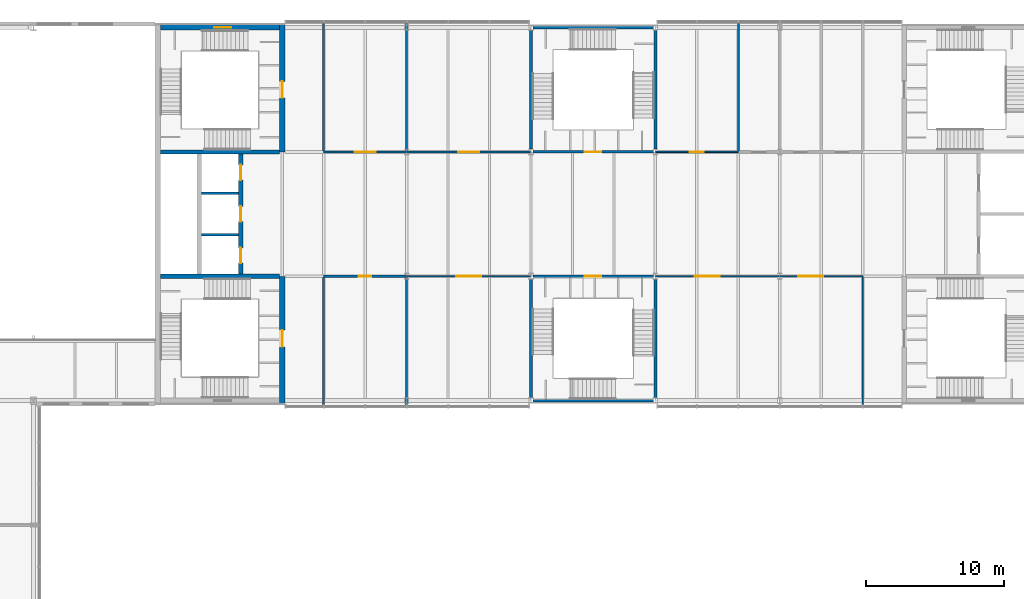
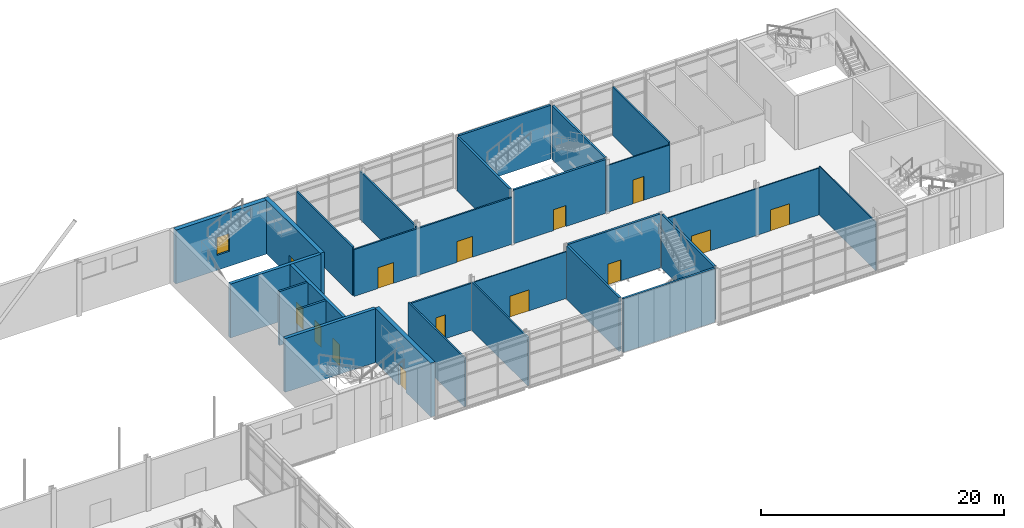
# One storey, part 42 of 56: 27 walls, 14 doors, 1 window, 15 openings.
"""IFC4 building model written with IfcOpenShell, lengths in metres."""

from ifc_helpers import new_model, si_unit, direction, frame, frame_2d, origin, place, context, subcontext, project, spatial, rectangle, extrude, material, layer, layer_set, type_object, element, fill, save


model = new_model("IFC4")

# Units and contexts
model_context = context("Model", 3, precision=1e-05, world=origin(), true_north=direction((0.0, 1.0)))
body_context = subcontext(model_context, "Body", "Model", "MODEL_VIEW")
ifc_project = project(units=[si_unit("LENGTHUNIT", "METRE"), si_unit("AREAUNIT", "SQUARE_METRE"), si_unit("VOLUMEUNIT", "CUBIC_METRE"), si_unit("PLANEANGLEUNIT", "RADIAN"), si_unit("MASSUNIT", "GRAM", prefix="KILO")], contexts=[model_context])

# Site, building, storey
site_placement = place(None, origin())
site = spatial("IfcSite", under=ifc_project, at=site_placement, CompositionType="ELEMENT")
building_placement = place(site_placement, origin())
building = spatial("IfcBuilding", under=site, at=building_placement, Name="Azimuth Sports and Learning Centre", CompositionType="ELEMENT")
storey_placement = place(building_placement, frame((0.0, 0.0, 5.39990234375)))
storey = spatial("IfcBuildingStorey", under=building, at=storey_placement, Name="L01", CompositionType="ELEMENT", Elevation=5.39990234375)

# Walls
ifc_material_1 = material(Name="Dense masonry blockwork", Category="masonry")
ifc_layer_1 = layer(ifc_material_1, 0.199951171875)
ifc_layer_set_1 = layer_set([ifc_layer_1], Name="Dense masonry blockwork")
wall_type_1 = type_object("IfcWallType", Name="Blockwork wall 200 EI 120", PredefinedType="SOLIDWALL", material=ifc_layer_set_1)
for number, where, z_axis, x_axis, name in (
    (1, (111.14990234375, 102.0, 0.0), (0.0, 0.0, 1.0), (1.0, 0.0, 0.0), "SD-E-1-L01"),
    (2, (111.14990234375, 105.0, 0.0), (0.0, 0.0, 1.0), (1.0, 0.0, 0.0), "SD-E-2-L01"),
):
    element("IfcWall", number, at=place(storey_placement, frame(where, z_axis=z_axis, x_axis=x_axis)), inside=storey, type_object=wall_type_1, Name=name, PredefinedType="SOLIDWALL", context=body_context, shape_type="SweptSolid", body=[
        extrude(rectangle(XDim=2.7001953125, YDim=0.199951171875, at=frame_2d((1.35009765625, 0.0))), origin(), (0.0, 0.0, 1.0), 5.400146484375),
    ])

# Wall, opening, door
ifc_material_2 = material(Name="Gypsum board on steel studs", Category="steel")
ifc_layer_2 = layer(ifc_material_2, 0.10009765625)
ifc_layer_set_2 = layer_set([ifc_layer_2], Name="Gypsum board on steel studs")
wall_type_2 = type_object("IfcWallType", Name="Partition 100 EI 30", PredefinedType="PARTITIONING", material=ifc_layer_set_2)
wall_1_placement = place(storey_placement, frame((126.0, 99.0, 0.0), z_axis=(0.0, 0.0, 1.0), x_axis=(1.0, 0.0, 0.0)))
wall_1 = element("IfcWall", 3, at=wall_1_placement, inside=storey, type_object=wall_type_2, Name="Partition 100 EI 30", PredefinedType="PARTITIONING", context=body_context, shape_type="SweptSolid", body=[
    extrude(rectangle(XDim=9.0, YDim=0.10009765625, at=frame_2d((4.5, 0.0))), origin(), (0.0, 0.0, 1.0), 4.7001953125),
])
opening_1_placement = place(wall_1_placement, frame((3.60009765625, 0.0, 0.0)))
opening_1 = element("IfcOpeningElement", 4, at=opening_1_placement, cuts=wall_1, Name="Opening D01-047", PredefinedType="OPENING", context=body_context, shape_type="SweptSolid", body=[
    extrude(rectangle(XDim=1.800048828125, YDim=2.10009765625, at=frame_2d((0.89990234375, 1.050048828125))), frame((0.0, 0.06103515625, 0.0), z_axis=(0.0, -1.0, 0.0), x_axis=(1.0, 0.0, 0.0)), (0.0, 0.0, 1.0), 0.1220703125),
])
ifc_material_3 = material(Name="Timber fire door set", Category="wood")
door_type_1 = type_object("IfcDoorType", Name="Timber door double 1800x2100 FD30S", OperationType="DOUBLE_DOOR_SINGLE_SWING", PredefinedType="DOOR", material=ifc_material_3)
door_1_placement = place(opening_1_placement, frame((1.800048828125, 0.0, 0.0), z_axis=(0.0, 0.0, 1.0), x_axis=(-1.0, 0.0, 0.0)))
door_1 = element("IfcDoor", 5, at=door_1_placement, inside=storey, type_object=door_type_1, Name="Door D01-047", OperationType="DOUBLE_DOOR_SINGLE_SWING", OverallHeight=2.10009765625, OverallWidth=1.800048828125, PredefinedType="DOOR", context=body_context, shape_type="SweptSolid", body=[
    extrude(rectangle(XDim=1.800048828125, YDim=2.10009765625, at=frame_2d((0.89990234375, 1.050048828125))), frame((0.0, 0.02490234375, 0.0), z_axis=(0.0, -1.0, 0.0), x_axis=(1.0, 0.0, 0.0)), (0.0, 0.0, 1.0), 0.050048828125),
])
fill(opening_1, door_1)

# Wall, openings, doors
wall_2_placement = place(storey_placement, frame((144.0, 99.0, 0.0), z_axis=(0.0, 0.0, 1.0), x_axis=(1.0, 0.0, 0.0)))
wall_2 = element("IfcWall", 6, at=wall_2_placement, inside=storey, type_object=wall_type_2, Name="Partition 100 EI 30", PredefinedType="PARTITIONING", context=body_context, shape_type="SweptSolid", body=[
    extrude(rectangle(XDim=15.0, YDim=0.10009765625, at=frame_2d((7.5, 0.0))), origin(), (0.0, 0.0, 1.0), 4.7001953125),
])
opening_2_placement = place(wall_2_placement, frame((2.85009765625, 0.0, 0.0)))
opening_2 = element("IfcOpeningElement", 7, at=opening_2_placement, cuts=wall_2, Name="Opening D01-045", PredefinedType="OPENING", context=body_context, shape_type="SweptSolid", body=[
    extrude(rectangle(XDim=1.800048828125, YDim=2.10009765625, at=frame_2d((0.89990234375, 1.050048828125))), frame((0.0, 0.06103515625, 0.0), z_axis=(0.0, -1.0, 0.0), x_axis=(1.0, 0.0, 0.0)), (0.0, 0.0, 1.0), 0.1220703125),
])
opening_3_placement = place(wall_2_placement, frame((10.35009765625, 0.0, 0.0)))
opening_3 = element("IfcOpeningElement", 8, at=opening_3_placement, cuts=wall_2, Name="Opening D01-046", PredefinedType="OPENING", context=body_context, shape_type="SweptSolid", body=[
    extrude(rectangle(XDim=1.800048828125, YDim=2.10009765625, at=frame_2d((0.89990234375, 1.050048828125))), frame((0.0, 0.06103515625, 0.0), z_axis=(0.0, -1.0, 0.0), x_axis=(1.0, 0.0, 0.0)), (0.0, 0.0, 1.0), 0.1220703125),
])
door_2_placement = place(opening_2_placement, frame((1.800048828125, 0.0, 0.0), z_axis=(0.0, 0.0, 1.0), x_axis=(-1.0, 0.0, 0.0)))
door_2 = element("IfcDoor", 9, at=door_2_placement, inside=storey, type_object=door_type_1, Name="Door D01-045", OperationType="DOUBLE_DOOR_SINGLE_SWING", OverallHeight=2.10009765625, OverallWidth=1.800048828125, PredefinedType="DOOR", context=body_context, shape_type="SweptSolid", body=[
    extrude(rectangle(XDim=1.800048828125, YDim=2.10009765625, at=frame_2d((0.89990234375, 1.050048828125))), frame((0.0, 0.02490234375, 0.0), z_axis=(0.0, -1.0, 0.0), x_axis=(1.0, 0.0, 0.0)), (0.0, 0.0, 1.0), 0.050048828125),
])
fill(opening_2, door_2)
door_3_placement = place(opening_3_placement, frame((1.800048828125, 0.0, 0.0), z_axis=(0.0, 0.0, 1.0), x_axis=(-1.0, 0.0, 0.0)))
door_3 = element("IfcDoor", 10, at=door_3_placement, inside=storey, type_object=door_type_1, Name="Door D01-046", OperationType="DOUBLE_DOOR_SINGLE_SWING", OverallHeight=2.10009765625, OverallWidth=1.800048828125, PredefinedType="DOOR", context=body_context, shape_type="SweptSolid", body=[
    extrude(rectangle(XDim=1.800048828125, YDim=2.10009765625, at=frame_2d((0.89990234375, 1.050048828125))), frame((0.0, 0.02490234375, 0.0), z_axis=(0.0, -1.0, 0.0), x_axis=(1.0, 0.0, 0.0)), (0.0, 0.0, 1.0), 0.050048828125),
])
fill(opening_3, door_3)

# Wall, opening, door
wall_3_placement = place(storey_placement, frame((144.0, 108.0, 0.0), z_axis=(0.0, 0.0, 1.0), x_axis=(1.0, 0.0, 0.0)))
wall_3 = element("IfcWall", 11, at=wall_3_placement, inside=storey, type_object=wall_type_2, Name="Partition 100 EI 30", PredefinedType="PARTITIONING", context=body_context, shape_type="SweptSolid", body=[
    extrude(rectangle(XDim=6.0, YDim=0.10009765625, at=frame_2d((3.0, 0.0))), origin(), (0.0, 0.0, 1.0), 4.7001953125),
])
opening_4_placement = place(wall_3_placement, frame((2.5, 0.0, 0.0)))
opening_4 = element("IfcOpeningElement", 12, at=opening_4_placement, cuts=wall_3, Name="Opening D01-052", PredefinedType="OPENING", context=body_context, shape_type="SweptSolid", body=[
    extrude(rectangle(XDim=1.0, YDim=2.39990234375, at=frame_2d((0.5, 1.199951171875))), frame((0.0, 0.06103515625, 0.0), z_axis=(0.0, -1.0, 0.0), x_axis=(1.0, 0.0, 0.0)), (0.0, 0.0, 1.0), 0.1220703125),
])
ifc_material_4 = material(Name="Timber fire door set", Category="wood")
door_type_2 = type_object("IfcDoorType", Name="Timber door single 1000x2400 FD30S", OperationType="NOTDEFINED", PredefinedType="DOOR", material=ifc_material_4)
door_4_placement = place(opening_4_placement, origin())
door_4 = element("IfcDoor", 13, at=door_4_placement, inside=storey, type_object=door_type_2, Name="Door D01-052", OperationType="SINGLE_SWING_LEFT", OverallHeight=2.39990234375, OverallWidth=1.0, PredefinedType="DOOR", context=body_context, shape_type="SweptSolid", body=[
    extrude(rectangle(XDim=1.0, YDim=2.39990234375, at=frame_2d((0.5, 1.199951171875))), frame((0.0, 0.02490234375, 0.0), z_axis=(0.0, -1.0, 0.0), x_axis=(1.0, 0.0, 0.0)), (0.0, 0.0, 1.0), 0.050048828125),
])
fill(opening_4, door_4)

# Wall
wall_4_placement = place(storey_placement, frame((159.0, 89.699951171875, 0.0), z_axis=(0.0, 0.0, 1.0), x_axis=(0.0, 1.0, 0.0)))
element("IfcWall", 14, at=wall_4_placement, inside=storey, type_object=wall_type_2, Name="Partition 100 EI 30", PredefinedType="PARTITIONING", context=body_context, shape_type="SweptSolid", body=[
    extrude(rectangle(XDim=9.25, YDim=0.10009765625, at=frame_2d((4.625, 0.0))), origin(), (0.0, 0.0, 1.0), 4.89013671875),
])

# Wall, opening, door
ifc_material_5 = material(Name="Lightweight blockwork, rendered", Category="masonry")
ifc_layer_3 = layer(ifc_material_5, 0.14990234375)
ifc_layer_set_3 = layer_set([ifc_layer_3], Name="Lightweight blockwork, rendered")
wall_type_3 = type_object("IfcWallType", Name="Partition 150 EI 60", PredefinedType="PARTITIONING", material=ifc_layer_set_3)
wall_5_placement = place(storey_placement, frame((120.0, 99.0, 0.0), z_axis=(0.0, 0.0, 1.0), x_axis=(1.0, 0.0, 0.0)))
wall_5 = element("IfcWall", 15, at=wall_5_placement, inside=storey, type_object=wall_type_3, Name="Partition 150 EI 60", PredefinedType="PARTITIONING", context=body_context, shape_type="SweptSolid", body=[
    extrude(rectangle(XDim=6.0, YDim=0.14990234375, at=frame_2d((3.0, 0.0))), origin(), (0.0, 0.0, 1.0), 4.7001953125),
])
opening_5_placement = place(wall_5_placement, frame((2.550048828125, 0.0, 0.0)))
opening_5 = element("IfcOpeningElement", 16, at=opening_5_placement, cuts=wall_5, Name="Opening D01-048", PredefinedType="OPENING", context=body_context, shape_type="SweptSolid", body=[
    extrude(rectangle(XDim=0.89990234375, YDim=2.39990234375, at=frame_2d((0.449951171875, 1.199951171875))), frame((0.0, 0.0859375, 0.0), z_axis=(0.0, -1.0, 0.0), x_axis=(1.0, 0.0, 0.0)), (0.0, 0.0, 1.0), 0.171875),
])
ifc_material_6 = material(Name="Timber fire door set", Category="wood")
door_type_3 = type_object("IfcDoorType", Name="Timber door single 900x2400 FD60", OperationType="NOTDEFINED", PredefinedType="DOOR", material=ifc_material_6)
door_5_placement = place(opening_5_placement, frame((0.89990234375, 0.0, 0.0), z_axis=(0.0, 0.0, 1.0), x_axis=(-1.0, 0.0, 0.0)))
door_5 = element("IfcDoor", 17, at=door_5_placement, inside=storey, type_object=door_type_3, Name="Door D01-048", OperationType="SINGLE_SWING_RIGHT", OverallHeight=2.39990234375, OverallWidth=0.89990234375, PredefinedType="DOOR", context=body_context, shape_type="SweptSolid", body=[
    extrude(rectangle(XDim=0.89990234375, YDim=2.39990234375, at=frame_2d((0.449951171875, 1.199951171875))), frame((0.0, 0.02490234375, 0.0), z_axis=(0.0, -1.0, 0.0), x_axis=(1.0, 0.0, 0.0)), (0.0, 0.0, 1.0), 0.050048828125),
])
fill(opening_5, door_5)

# Wall, openings, doors
wall_6_placement = place(storey_placement, frame((120.0, 108.0, 0.0), z_axis=(0.0, 0.0, 1.0), x_axis=(1.0, 0.0, 0.0)))
wall_6 = element("IfcWall", 18, at=wall_6_placement, inside=storey, type_object=wall_type_3, Name="Partition 150 EI 60", PredefinedType="PARTITIONING", context=body_context, shape_type="SweptSolid", body=[
    extrude(rectangle(XDim=15.0, YDim=0.14990234375, at=frame_2d((7.5, 0.0))), origin(), (0.0, 0.0, 1.0), 4.7001953125),
])
opening_6_placement = place(wall_6_placement, frame((9.75, 0.0, 0.0)))
opening_6 = element("IfcOpeningElement", 19, at=opening_6_placement, cuts=wall_6, Name="Opening D01-053", PredefinedType="OPENING", context=body_context, shape_type="SweptSolid", body=[
    extrude(rectangle(XDim=1.5, YDim=2.10009765625, at=frame_2d((0.75, 1.050048828125))), frame((0.0, 0.0859375, 0.0), z_axis=(0.0, -1.0, 0.0), x_axis=(1.0, 0.0, 0.0)), (0.0, 0.0, 1.0), 0.171875),
])
opening_7_placement = place(wall_6_placement, frame((2.25, 0.0, 0.0)))
opening_7 = element("IfcOpeningElement", 20, at=opening_7_placement, cuts=wall_6, Name="Opening D01-054", PredefinedType="OPENING", context=body_context, shape_type="SweptSolid", body=[
    extrude(rectangle(XDim=1.5, YDim=2.10009765625, at=frame_2d((0.75, 1.050048828125))), frame((0.0, 0.0859375, 0.0), z_axis=(0.0, -1.0, 0.0), x_axis=(1.0, 0.0, 0.0)), (0.0, 0.0, 1.0), 0.171875),
])
ifc_material_7 = material(Name="Timber fire door set", Category="wood")
door_type_4 = type_object("IfcDoorType", Name="Timber door double 1500x2100 FD60", OperationType="DOUBLE_DOOR_SINGLE_SWING", PredefinedType="DOOR", material=ifc_material_7)
door_6_placement = place(opening_6_placement, origin())
door_6 = element("IfcDoor", 21, at=door_6_placement, inside=storey, type_object=door_type_4, Name="Door D01-053", OperationType="DOUBLE_DOOR_SINGLE_SWING", OverallHeight=2.10009765625, OverallWidth=1.5, PredefinedType="DOOR", context=body_context, shape_type="SweptSolid", body=[
    extrude(rectangle(XDim=1.5, YDim=2.10009765625, at=frame_2d((0.75, 1.050048828125))), frame((0.0, 0.02490234375, 0.0), z_axis=(0.0, -1.0, 0.0), x_axis=(1.0, 0.0, 0.0)), (0.0, 0.0, 1.0), 0.050048828125),
])
fill(opening_6, door_6)
door_7_placement = place(opening_7_placement, origin())
door_7 = element("IfcDoor", 22, at=door_7_placement, inside=storey, type_object=door_type_4, Name="Door D01-054", OperationType="DOUBLE_DOOR_SINGLE_SWING", OverallHeight=2.10009765625, OverallWidth=1.5, PredefinedType="DOOR", context=body_context, shape_type="SweptSolid", body=[
    extrude(rectangle(XDim=1.5, YDim=2.10009765625, at=frame_2d((0.75, 1.050048828125))), frame((0.0, 0.02490234375, 0.0), z_axis=(0.0, -1.0, 0.0), x_axis=(1.0, 0.0, 0.0)), (0.0, 0.0, 1.0), 0.050048828125),
])
fill(opening_7, door_7)

# Walls
for number, where, z_axis, x_axis, name in (
    (23, (120.0, 89.699951171875, 0.0), (0.0, 0.0, 1.0), (0.0, 1.0, 0.0), "Partition 150 EI 60"),
    (24, (120.0, 108.074951171875, 0.0), (0.0, 0.0, 1.0), (0.0, 1.0, 0.0), "Partition 150 EI 60"),
):
    element("IfcWall", number, at=place(storey_placement, frame(where, z_axis=z_axis, x_axis=x_axis)), inside=storey, type_object=wall_type_3, Name=name, PredefinedType="PARTITIONING", context=body_context, shape_type="SweptSolid", body=[
        extrude(rectangle(XDim=9.22509765625, YDim=0.14990234375, at=frame_2d((4.612548828125, 0.0))), origin(), (0.0, 0.0, 1.0), 4.89013671875),
    ])
for number, where, z_axis, x_axis, name in (
    (25, (126.0, 89.699951171875, 0.0), (0.0, 0.0, 1.0), (0.0, 1.0, 0.0), "Partition 150 EI 60"),
    (26, (126.0, 108.074951171875, 0.0), (0.0, 0.0, 1.0), (0.0, 1.0, 0.0), "Partition 150 EI 60"),
):
    element("IfcWall", number, at=place(storey_placement, frame(where, z_axis=z_axis, x_axis=x_axis)), inside=storey, type_object=wall_type_3, Name=name, PredefinedType="PARTITIONING", context=body_context, shape_type="SweptSolid", body=[
        extrude(rectangle(XDim=9.22509765625, YDim=0.14990234375, at=frame_2d((4.612548828125, 0.0))), origin(), (0.0, 0.0, 1.0), 4.85009765625),
    ])
wall_7_placement = place(storey_placement, frame((150.0, 108.074951171875, 0.0), z_axis=(0.0, 0.0, 1.0), x_axis=(0.0, 1.0, 0.0)))
element("IfcWall", 27, at=wall_7_placement, inside=storey, type_object=wall_type_3, Name="Partition 150 EI 60", PredefinedType="PARTITIONING", context=body_context, shape_type="SweptSolid", body=[
    extrude(rectangle(XDim=9.22509765625, YDim=0.14990234375, at=frame_2d((4.612548828125, 0.0))), origin(), (0.0, 0.0, 1.0), 4.89013671875),
])

# Wall, opening, door
ifc_material_8 = material(Name="Concrete C40/50", Category="concrete")
ifc_layer_4 = layer(ifc_material_8, 0.199951171875)
ifc_layer_set_4 = layer_set([ifc_layer_4], Name="Concrete C40/50")
wall_type_4 = type_object("IfcWallType", Name="RC cell wall 200 EI 120", PredefinedType="SHEAR", material=ifc_layer_set_4)
wall_8_placement = place(storey_placement, frame((135.14990234375, 99.0, 0.0), z_axis=(0.0, 0.0, 1.0), x_axis=(1.0, 0.0, 0.0)))
wall_8 = element("IfcWall", 28, at=wall_8_placement, inside=storey, type_object=wall_type_4, Name="CE-EM1-N-L01", PredefinedType="SHEAR", context=body_context, shape_type="SweptSolid", body=[
    extrude(rectangle(XDim=8.7001953125, YDim=0.199951171875, at=frame_2d((4.35009765625, 0.0))), origin(), (0.0, 0.0, 1.0), 5.400146484375),
])
opening_8_placement = place(wall_8_placement, frame((3.75, 0.0, 0.0)))
opening_8 = element("IfcOpeningElement", 29, at=opening_8_placement, cuts=wall_8, Name="Opening D01-012", PredefinedType="OPENING", context=body_context, shape_type="SweptSolid", body=[
    extrude(rectangle(XDim=1.199951171875, YDim=2.10009765625, at=frame_2d((0.60009765625, 1.050048828125))), frame((0.0, 0.11083984375, 0.0), z_axis=(0.0, -1.0, 0.0), x_axis=(1.0, 0.0, 0.0)), (0.0, 0.0, 1.0), 0.221923828125),
])
ifc_material_9 = material(Name="Steel", Category="steel")
door_type_5 = type_object("IfcDoorType", Name="Stair fire door 1200 x 2100", OperationType="NOTDEFINED", PredefinedType="DOOR", material=ifc_material_9)
door_8_placement = place(opening_8_placement, origin())
door_8 = element("IfcDoor", 30, at=door_8_placement, inside=storey, type_object=door_type_5, Name="Stair door EM1 L01", OperationType="SINGLE_SWING_RIGHT", OverallHeight=2.10009765625, OverallWidth=1.199951171875, PredefinedType="DOOR", context=body_context, shape_type="SweptSolid", body=[
    extrude(rectangle(XDim=1.199951171875, YDim=2.10009765625, at=frame_2d((0.60009765625, 1.050048828125))), frame((0.0, 0.02490234375, 0.0), z_axis=(0.0, -1.0, 0.0), x_axis=(1.0, 0.0, 0.0)), (0.0, 0.0, 1.0), 0.050048828125),
])
fill(opening_8, door_8)

# Walls
for number, where, z_axis, x_axis, name in (
    (31, (135.0, 90.199951171875, 0.0), (0.0, 0.0, 1.0), (0.0, 1.0, 0.0), "CE-EM1-W-L01"),
    (32, (144.0, 90.199951171875, 0.0), (0.0, 0.0, 1.0), (0.0, 1.0, 0.0), "CE-EM1-E-L01"),
):
    element("IfcWall", number, at=place(storey_placement, frame(where, z_axis=z_axis, x_axis=x_axis)), inside=storey, type_object=wall_type_4, Name=name, PredefinedType="SHEAR", context=body_context, shape_type="SweptSolid", body=[
        extrude(rectangle(XDim=8.60009765625, YDim=0.199951171875, at=frame_2d((4.300048828125, 0.0))), origin(), (0.0, 0.0, 1.0), 5.400146484375),
    ])

# Wall, opening, door
wall_9_placement = place(storey_placement, frame((135.14990234375, 108.0, 0.0), z_axis=(0.0, 0.0, 1.0), x_axis=(1.0, 0.0, 0.0)))
wall_9 = element("IfcWall", 33, at=wall_9_placement, inside=storey, type_object=wall_type_4, Name="CE-EM2-S-L01", PredefinedType="SHEAR", context=body_context, shape_type="SweptSolid", body=[
    extrude(rectangle(XDim=8.7001953125, YDim=0.199951171875, at=frame_2d((4.35009765625, 0.0))), origin(), (0.0, 0.0, 1.0), 5.400146484375),
])
opening_9_placement = place(wall_9_placement, frame((3.75, 0.0, 0.0)))
opening_9 = element("IfcOpeningElement", 34, at=opening_9_placement, cuts=wall_9, Name="Opening D01-013", PredefinedType="OPENING", context=body_context, shape_type="SweptSolid", body=[
    extrude(rectangle(XDim=1.199951171875, YDim=2.10009765625, at=frame_2d((0.60009765625, 1.050048828125))), frame((0.0, 0.11083984375, 0.0), z_axis=(0.0, -1.0, 0.0), x_axis=(1.0, 0.0, 0.0)), (0.0, 0.0, 1.0), 0.221923828125),
])
door_9_placement = place(opening_9_placement, frame((1.199951171875, 0.0, 0.0), z_axis=(0.0, 0.0, 1.0), x_axis=(-1.0, 0.0, 0.0)))
door_9 = element("IfcDoor", 35, at=door_9_placement, inside=storey, type_object=door_type_5, Name="Stair door EM2 L01", OperationType="SINGLE_SWING_LEFT", OverallHeight=2.10009765625, OverallWidth=1.199951171875, PredefinedType="DOOR", context=body_context, shape_type="SweptSolid", body=[
    extrude(rectangle(XDim=1.199951171875, YDim=2.10009765625, at=frame_2d((0.60009765625, 1.050048828125))), frame((0.0, 0.02490234375, 0.0), z_axis=(0.0, -1.0, 0.0), x_axis=(1.0, 0.0, 0.0)), (0.0, 0.0, 1.0), 0.050048828125),
])
fill(opening_9, door_9)

# Walls
for number, where, z_axis, x_axis, name in (
    (36, (135.0, 108.199951171875, 0.0), (0.0, 0.0, 1.0), (0.0, 1.0, 0.0), "CE-EM2-W-L01"),
    (37, (144.0, 108.199951171875, 0.0), (0.0, 0.0, 1.0), (0.0, 1.0, 0.0), "CE-EM2-E-L01"),
):
    element("IfcWall", number, at=place(storey_placement, frame(where, z_axis=z_axis, x_axis=x_axis)), inside=storey, type_object=wall_type_4, Name=name, PredefinedType="SHEAR", context=body_context, shape_type="SweptSolid", body=[
        extrude(rectangle(XDim=8.60009765625, YDim=0.199951171875, at=frame_2d((4.300048828125, 0.0))), origin(), (0.0, 0.0, 1.0), 5.400146484375),
    ])
ifc_material_10 = material(Name="Concrete C40/50", Category="concrete")
ifc_layer_5 = layer(ifc_material_10, 0.300048828125)
ifc_layer_set_5 = layer_set([ifc_layer_5], Name="Concrete C40/50")
wall_type_5 = type_object("IfcWallType", Name="RC core wall 300", PredefinedType="SHEAR", material=ifc_layer_set_5)
for number, where, z_axis, x_axis, name in (
    (38, (108.199951171875, 99.0, 0.0), (0.0, 0.0, 1.0), (1.0, 0.0, 0.0), "Core wall E D1 L01"),
    (39, (108.199951171875, 108.0, 0.0), (0.0, 0.0, 1.0), (1.0, 0.0, 0.0), "Core wall E D2 L01"),
):
    element("IfcWall", number, at=place(storey_placement, frame(where, z_axis=z_axis, x_axis=x_axis)), inside=storey, type_object=wall_type_5, Name=name, PredefinedType="SHEAR", context=body_context, shape_type="SweptSolid", body=[
        extrude(rectangle(XDim=8.60009765625, YDim=0.300048828125, at=frame_2d((4.300048828125, 0.0))), origin(), (0.0, 0.0, 1.0), 5.400146484375),
    ])

# Wall, openings, doors
wall_10_placement = place(storey_placement, frame((114.0, 99.14990234375, 0.0), z_axis=(0.0, 0.0, 1.0), x_axis=(0.0, 1.0, 0.0)))
wall_10 = element("IfcWall", 40, at=wall_10_placement, inside=storey, type_object=wall_type_5, Name="Core wall E LB2 L01", PredefinedType="SHEAR", context=body_context, shape_type="SweptSolid", body=[
    extrude(rectangle(XDim=8.7001953125, YDim=0.300048828125, at=frame_2d((4.35009765625, 0.0))), origin(), (0.0, 0.0, 1.0), 5.400146484375),
])
opening_10_placement = place(wall_10_placement, frame((0.800048828125, 0.0, 0.0)))
opening_10 = element("IfcOpeningElement", 41, at=opening_10_placement, cuts=wall_10, Name="Opening D01-025", PredefinedType="OPENING", context=body_context, shape_type="SweptSolid", body=[
    extrude(rectangle(XDim=1.10009765625, YDim=2.10009765625, at=frame_2d((0.550048828125, 1.050048828125))), frame((0.0, 0.1611328125, 0.0), z_axis=(0.0, -1.0, 0.0), x_axis=(1.0, 0.0, 0.0)), (0.0, 0.0, 1.0), 0.322021484375),
])
opening_11_placement = place(wall_10_placement, frame((3.800048828125, 0.0, 0.0)))
opening_11 = element("IfcOpeningElement", 42, at=opening_11_placement, cuts=wall_10, Name="Opening D01-026", PredefinedType="OPENING", context=body_context, shape_type="SweptSolid", body=[
    extrude(rectangle(XDim=1.10009765625, YDim=2.10009765625, at=frame_2d((0.550048828125, 1.050048828125))), frame((0.0, 0.1611328125, 0.0), z_axis=(0.0, -1.0, 0.0), x_axis=(1.0, 0.0, 0.0)), (0.0, 0.0, 1.0), 0.322021484375),
])
opening_12_placement = place(wall_10_placement, frame((6.800048828125, 0.0, 0.0)))
opening_12 = element("IfcOpeningElement", 43, at=opening_12_placement, cuts=wall_10, Name="Opening D01-027", PredefinedType="OPENING", context=body_context, shape_type="SweptSolid", body=[
    extrude(rectangle(XDim=1.10009765625, YDim=2.10009765625, at=frame_2d((0.550048828125, 1.050048828125))), frame((0.0, 0.1611328125, 0.0), z_axis=(0.0, -1.0, 0.0), x_axis=(1.0, 0.0, 0.0)), (0.0, 0.0, 1.0), 0.322021484375),
])
ifc_material_11 = material(Name="Stainless steel", Category="steel")
door_type_6 = type_object("IfcDoorType", Name="Lift landing door 1100 x 2100", OperationType="DOUBLE_DOOR_SLIDING", PredefinedType="DOOR", material=ifc_material_11)
door_10_placement = place(opening_10_placement, origin())
door_10 = element("IfcDoor", 44, at=door_10_placement, inside=storey, type_object=door_type_6, Name="Landing door LE1 L01", OperationType="DOUBLE_DOOR_SLIDING", OverallHeight=2.10009765625, OverallWidth=1.10009765625, PredefinedType="DOOR", context=body_context, shape_type="SweptSolid", body=[
    extrude(rectangle(XDim=1.10009765625, YDim=2.10009765625, at=frame_2d((0.550048828125, 1.050048828125))), frame((0.0, 0.02490234375, 0.0), z_axis=(0.0, -1.0, 0.0), x_axis=(1.0, 0.0, 0.0)), (0.0, 0.0, 1.0), 0.050048828125),
])
fill(opening_10, door_10)
door_11_placement = place(opening_11_placement, origin())
door_11 = element("IfcDoor", 45, at=door_11_placement, inside=storey, type_object=door_type_6, Name="Landing door LE2 L01", OperationType="DOUBLE_DOOR_SLIDING", OverallHeight=2.10009765625, OverallWidth=1.10009765625, PredefinedType="DOOR", context=body_context, shape_type="SweptSolid", body=[
    extrude(rectangle(XDim=1.10009765625, YDim=2.10009765625, at=frame_2d((0.550048828125, 1.050048828125))), frame((0.0, 0.02490234375, 0.0), z_axis=(0.0, -1.0, 0.0), x_axis=(1.0, 0.0, 0.0)), (0.0, 0.0, 1.0), 0.050048828125),
])
fill(opening_11, door_11)
door_12_placement = place(opening_12_placement, origin())
door_12 = element("IfcDoor", 46, at=door_12_placement, inside=storey, type_object=door_type_6, Name="Landing door LE3 L01", OperationType="DOUBLE_DOOR_SLIDING", OverallHeight=2.10009765625, OverallWidth=1.10009765625, PredefinedType="DOOR", context=body_context, shape_type="SweptSolid", body=[
    extrude(rectangle(XDim=1.10009765625, YDim=2.10009765625, at=frame_2d((0.550048828125, 1.050048828125))), frame((0.0, 0.02490234375, 0.0), z_axis=(0.0, -1.0, 0.0), x_axis=(1.0, 0.0, 0.0)), (0.0, 0.0, 1.0), 0.050048828125),
])
fill(opening_12, door_12)

# Wall, opening, door
ifc_material_12 = material(Name="Concrete C40/50", Category="concrete")
ifc_layer_6 = layer(ifc_material_12, 0.39990234375)
ifc_layer_set_6 = layer_set([ifc_layer_6], Name="Concrete C40/50")
wall_type_6 = type_object("IfcWallType", Name="RC core wall 400", PredefinedType="SHEAR", material=ifc_layer_set_6)
wall_11_placement = place(storey_placement, frame((117.0, 89.800048828125, 0.0), z_axis=(0.0, 0.0, 1.0), x_axis=(0.0, 1.0, 0.0)))
wall_11 = element("IfcWall", 47, at=wall_11_placement, inside=storey, type_object=wall_type_6, Name="Core wall E ES L01", PredefinedType="SHEAR", context=body_context, shape_type="SweptSolid", body=[
    extrude(rectangle(XDim=9.199951171875, YDim=0.39990234375, at=frame_2d((4.60009765625, 0.0))), origin(), (0.0, 0.0, 1.0), 5.400146484375),
])
opening_13_placement = place(wall_11_placement, frame((4.10009765625, 0.0, 0.0)))
opening_13 = element("IfcOpeningElement", 48, at=opening_13_placement, cuts=wall_11, Name="Opening D01-004", PredefinedType="OPENING", context=body_context, shape_type="SweptSolid", body=[
    extrude(rectangle(XDim=1.199951171875, YDim=2.10009765625, at=frame_2d((0.60009765625, 1.050048828125))), frame((0.0, 0.2109375, 0.0), z_axis=(0.0, -1.0, 0.0), x_axis=(1.0, 0.0, 0.0)), (0.0, 0.0, 1.0), 0.421875),
])
door_13_placement = place(opening_13_placement, frame((1.199951171875, 0.0, 0.0), z_axis=(0.0, 0.0, 1.0), x_axis=(-1.0, 0.0, 0.0)))
door_13 = element("IfcDoor", 49, at=door_13_placement, inside=storey, type_object=door_type_5, Name="Stair door E1 L01", OperationType="SINGLE_SWING_LEFT", OverallHeight=2.10009765625, OverallWidth=1.199951171875, PredefinedType="DOOR", context=body_context, shape_type="SweptSolid", body=[
    extrude(rectangle(XDim=1.199951171875, YDim=2.10009765625, at=frame_2d((0.60009765625, 1.050048828125))), frame((0.0, 0.02490234375, 0.0), z_axis=(0.0, -1.0, 0.0), x_axis=(1.0, 0.0, 0.0)), (0.0, 0.0, 1.0), 0.050048828125),
])
fill(opening_13, door_13)

wall_12_placement = place(storey_placement, frame((117.0, 108.0, 0.0), z_axis=(0.0, 0.0, 1.0), x_axis=(0.0, 1.0, 0.0)))
wall_12 = element("IfcWall", 50, at=wall_12_placement, inside=storey, type_object=wall_type_6, Name="Core wall E EN L01", PredefinedType="SHEAR", context=body_context, shape_type="SweptSolid", body=[
    extrude(rectangle(XDim=9.199951171875, YDim=0.39990234375, at=frame_2d((4.60009765625, 0.0))), origin(), (0.0, 0.0, 1.0), 5.400146484375),
])
opening_14_placement = place(wall_12_placement, frame((3.89990234375, 0.0, 0.0)))
opening_14 = element("IfcOpeningElement", 51, at=opening_14_placement, cuts=wall_12, Name="Opening D01-005", PredefinedType="OPENING", context=body_context, shape_type="SweptSolid", body=[
    extrude(rectangle(XDim=1.199951171875, YDim=2.10009765625, at=frame_2d((0.60009765625, 1.050048828125))), frame((0.0, 0.2109375, 0.0), z_axis=(0.0, -1.0, 0.0), x_axis=(1.0, 0.0, 0.0)), (0.0, 0.0, 1.0), 0.421875),
])
door_14_placement = place(opening_14_placement, frame((1.199951171875, 0.0, 0.0), z_axis=(0.0, 0.0, 1.0), x_axis=(-1.0, 0.0, 0.0)))
door_14 = element("IfcDoor", 52, at=door_14_placement, inside=storey, type_object=door_type_5, Name="Stair door E2 L01", OperationType="SINGLE_SWING_RIGHT", OverallHeight=2.10009765625, OverallWidth=1.199951171875, PredefinedType="DOOR", context=body_context, shape_type="SweptSolid", body=[
    extrude(rectangle(XDim=1.199951171875, YDim=2.10009765625, at=frame_2d((0.60009765625, 1.050048828125))), frame((0.0, 0.02490234375, 0.0), z_axis=(0.0, -1.0, 0.0), x_axis=(1.0, 0.0, 0.0)), (0.0, 0.0, 1.0), 0.050048828125),
])
fill(opening_14, door_14)

# Walls
ifc_material_13 = material(Name="Concrete C40/50", Category="concrete")
ifc_layer_7 = layer(ifc_material_13, 0.199951171875)
ifc_layer_set_7 = layer_set([ifc_layer_7], Name="Concrete C40/50")
wall_type_7 = type_object("IfcWallType", Name="RC external cell wall 200 EI 120", PredefinedType="SHEAR", material=ifc_layer_set_7)
for number, where, z_axis, x_axis, name in (
    (53, (135.14990234375, 90.0, 0.0), (0.0, 0.0, 1.0), (1.0, 0.0, 0.0), "CE-EM1-S-L01"),
    (54, (135.14990234375, 117.0, 0.0), (0.0, 0.0, 1.0), (1.0, 0.0, 0.0), "CE-EM2-N-L01"),
):
    element("IfcWall", number, at=place(storey_placement, frame(where, z_axis=z_axis, x_axis=x_axis)), inside=storey, type_object=wall_type_7, Name=name, PredefinedType="SHEAR", context=body_context, shape_type="SweptSolid", body=[
        extrude(rectangle(XDim=8.7001953125, YDim=0.199951171875, at=frame_2d((4.35009765625, 0.0))), origin(), (0.0, 0.0, 1.0), 5.400146484375),
    ])

# Wall, opening, window
ifc_material_14 = material(Name="Concrete C40/50", Category="concrete")
ifc_layer_8 = layer(ifc_material_14, 0.39990234375)
ifc_layer_set_8 = layer_set([ifc_layer_8], Name="Concrete C40/50")
wall_type_8 = type_object("IfcWallType", Name="RC external core wall 400", PredefinedType="SHEAR", material=ifc_layer_set_8)
wall_13_placement = place(storey_placement, frame((108.199951171875, 117.0, 0.0), z_axis=(0.0, 0.0, 1.0), x_axis=(1.0, 0.0, 0.0)))
wall_13 = element("IfcWall", 55, at=wall_13_placement, inside=storey, type_object=wall_type_8, Name="Core wall E N L01", PredefinedType="SHEAR", context=body_context, shape_type="SweptSolid", body=[
    extrude(rectangle(XDim=8.60009765625, YDim=0.39990234375, at=frame_2d((4.300048828125, 0.0))), origin(), (0.0, 0.0, 1.0), 5.400146484375),
])
opening_15_placement = place(wall_13_placement, frame((3.89990234375, 0.0, 1.5)))
opening_15 = element("IfcOpeningElement", 56, at=opening_15_placement, cuts=wall_13, Name="Opening W01-012", PredefinedType="OPENING", context=body_context, shape_type="SweptSolid", body=[
    extrude(rectangle(XDim=1.199951171875, YDim=1.800048828125, at=frame_2d((0.60009765625, 0.89990234375))), frame((0.0, 0.2109375, 0.0), z_axis=(0.0, -1.0, 0.0), x_axis=(1.0, 0.0, 0.0)), (0.0, 0.0, 1.0), 0.421875),
])
ifc_material_15 = material(Name="Aluminium and glass", Category="aluminium")
window_type = type_object("IfcWindowType", Name="Stair window podium core 1200x1800", PartitioningType="SINGLE_PANEL", PredefinedType="WINDOW", material=ifc_material_15)
window_placement = place(opening_15_placement, origin())
window = element("IfcWindow", 57, at=window_placement, inside=storey, type_object=window_type, Name="Window W01-012", OverallHeight=1.800048828125, OverallWidth=1.199951171875, PartitioningType="SINGLE_PANEL", PredefinedType="WINDOW", context=body_context, shape_type="SweptSolid", body=[
    extrude(rectangle(XDim=1.199951171875, YDim=1.800048828125, at=frame_2d((0.60009765625, 0.89990234375))), frame((0.0, 0.030029296875, 0.0), z_axis=(0.0, -1.0, 0.0), x_axis=(1.0, 0.0, 0.0)), (0.0, 0.0, 1.0), 0.06005859375),
])
fill(opening_15, window)

save(model, "model.ifc")
